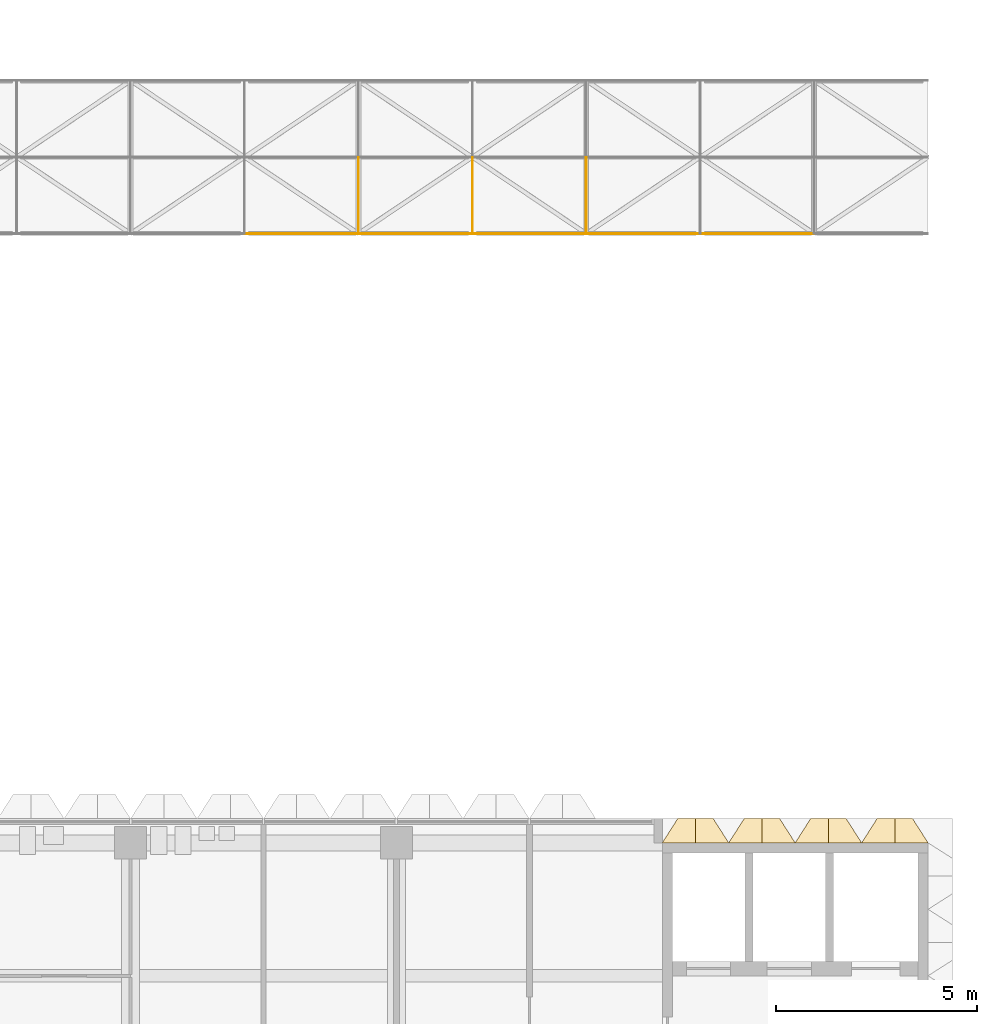
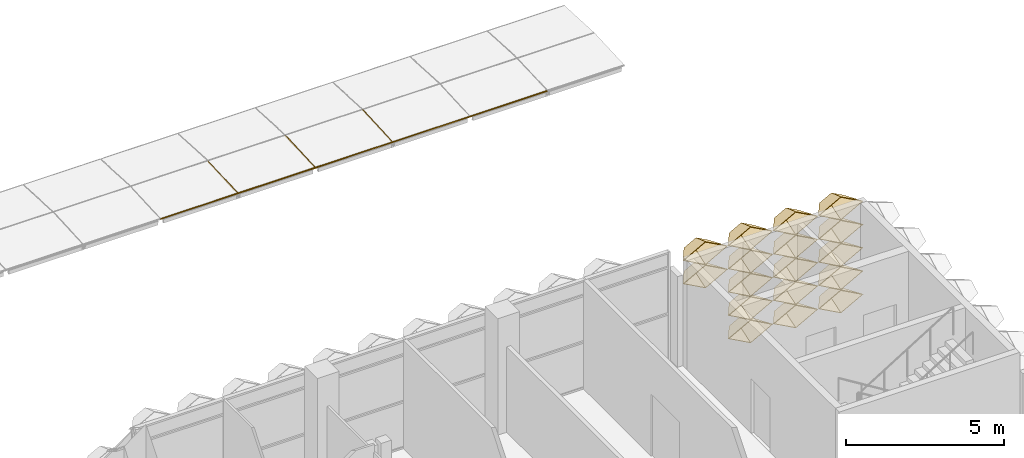
# One storey, part 57 of 61: 25 coverings.
"""IFC4 building model written with IfcOpenShell, lengths in metres."""

from ifc_helpers import new_model, entity, si_unit, direction, frame, origin, origin_2d, place, context, subcontext, project, spatial, rectangle, extrude, material, layer, layer_set, material_profile, profile_set, type_object, element, save


model = new_model("IFC4")

# Units and contexts
model_context = context("Model", 3, precision=1e-05, world=origin(), true_north=direction((0.0, 1.0)))
body_context = subcontext(model_context, "Body", "Model", "MODEL_VIEW")
ifc_project = project(units=[si_unit("LENGTHUNIT", "METRE"), si_unit("AREAUNIT", "SQUARE_METRE"), si_unit("VOLUMEUNIT", "CUBIC_METRE"), si_unit("PLANEANGLEUNIT", "RADIAN"), si_unit("MASSUNIT", "GRAM", prefix="KILO")], contexts=[model_context])

# Site, building, storey
site_placement = place(None, origin())
site = spatial("IfcSite", under=ifc_project, at=site_placement, CompositionType="ELEMENT")
building_placement = place(site_placement, origin())
building = spatial("IfcBuilding", under=site, at=building_placement, Name="Lantern Court Research Institute", CompositionType="ELEMENT")
storey_placement = place(building_placement, frame((0.0, 0.0, 23.39990234375)))
storey = spatial("IfcBuildingStorey", under=building, at=storey_placement, Name="L05", CompositionType="ELEMENT", Elevation=23.39990234375)

# Coverings
ifc_material_1 = material(Name="Anodised aluminium", Category="aluminium")
ifc_layer = layer(ifc_material_1, 0.01611328125)
ifc_layer_set = layer_set([ifc_layer], Name="Anodised aluminium")
covering_type_1 = type_object("IfcCoveringType", Name="Fin cassette 1650 x 900 x 600 aluminium", PredefinedType="CLADDING", material=ifc_layer_set)
covering_1_placement = place(storey_placement, frame((75.074951171875, 23.10009765625, 0.4501953125), z_axis=(0.0, 1.0, 0.0), x_axis=(-1.0, 0.0, 0.0)))
cartesian_point_1 = entity("IfcCartesianPoint", [0.824951171875, 0.0])
cartesian_point_2 = entity("IfcCartesianPoint", [0.79150390625, 0.0])
cartesian_point_3 = entity("IfcCartesianPoint", [0.44189453125, 0.0])
cartesian_point_4 = entity("IfcCartesianPoint", [0.43359375, 0.0])
element("IfcCovering", 1, at=covering_1_placement, inside=storey, type_object=covering_type_1, Name="Fin cassette V5N-L05 1.46", PredefinedType="CLADDING", context=body_context, shape_type="SweptSolid", body=[
    entity("IfcExtrudedAreaSolidTapered", entity("IfcArbitraryProfileDefWithVoids", "AREA", None, entity("IfcPolyline", [cartesian_point_1, entity("IfcCartesianPoint", [0.0, 0.449951171875]), entity("IfcCartesianPoint", [-0.824951171875, 0.0]), entity("IfcCartesianPoint", [0.0, -0.449951171875]), cartesian_point_1]), [entity("IfcPolyline", [cartesian_point_2, entity("IfcCartesianPoint", [0.0, 0.431884765625]), entity("IfcCartesianPoint", [-0.79150390625, 0.0]), entity("IfcCartesianPoint", [0.0, -0.431884765625]), cartesian_point_2])]), entity("IfcAxis2Placement3D", entity("IfcCartesianPoint", [0.0, 0.0, 0.0])), entity("IfcDirection", [0.0, 0.0, 1.0]), 0.60009765625, entity("IfcArbitraryProfileDefWithVoids", "AREA", None, entity("IfcPolyline", [cartesian_point_3, entity("IfcCartesianPoint", [0.0, 0.240966796875]), entity("IfcCartesianPoint", [-0.44189453125, 0.0]), entity("IfcCartesianPoint", [0.0, -0.240966796875]), cartesian_point_3]), [entity("IfcPolyline", [cartesian_point_4, entity("IfcCartesianPoint", [0.0, 0.236572265625]), entity("IfcCartesianPoint", [-0.43359375, 0.0]), entity("IfcCartesianPoint", [0.0, -0.236572265625]), cartesian_point_4])])),
])
covering_2_placement = place(storey_placement, frame((76.72509765625, 23.10009765625, 0.4501953125), z_axis=(0.0, 1.0, 0.0), x_axis=(-1.0, 0.0, 0.0)))
cartesian_point_5 = entity("IfcCartesianPoint", [0.824951171875, 0.0])
cartesian_point_6 = entity("IfcCartesianPoint", [0.79150390625, 0.0])
cartesian_point_7 = entity("IfcCartesianPoint", [0.44189453125, 0.0])
cartesian_point_8 = entity("IfcCartesianPoint", [0.43359375, 0.0])
element("IfcCovering", 2, at=covering_2_placement, inside=storey, type_object=covering_type_1, Name="Fin cassette V5N-L05 1.47", PredefinedType="CLADDING", context=body_context, shape_type="SweptSolid", body=[
    entity("IfcExtrudedAreaSolidTapered", entity("IfcArbitraryProfileDefWithVoids", "AREA", None, entity("IfcPolyline", [cartesian_point_5, entity("IfcCartesianPoint", [0.0, 0.449951171875]), entity("IfcCartesianPoint", [-0.824951171875, 0.0]), entity("IfcCartesianPoint", [0.0, -0.449951171875]), cartesian_point_5]), [entity("IfcPolyline", [cartesian_point_6, entity("IfcCartesianPoint", [0.0, 0.431884765625]), entity("IfcCartesianPoint", [-0.79150390625, 0.0]), entity("IfcCartesianPoint", [0.0, -0.431884765625]), cartesian_point_6])]), entity("IfcAxis2Placement3D", entity("IfcCartesianPoint", [0.0, 0.0, 0.0])), entity("IfcDirection", [0.0, 0.0, 1.0]), 0.60009765625, entity("IfcArbitraryProfileDefWithVoids", "AREA", None, entity("IfcPolyline", [cartesian_point_7, entity("IfcCartesianPoint", [0.0, 0.240966796875]), entity("IfcCartesianPoint", [-0.44189453125, 0.0]), entity("IfcCartesianPoint", [0.0, -0.240966796875]), cartesian_point_7]), [entity("IfcPolyline", [cartesian_point_8, entity("IfcCartesianPoint", [0.0, 0.236572265625]), entity("IfcCartesianPoint", [-0.43359375, 0.0]), entity("IfcCartesianPoint", [0.0, -0.236572265625]), cartesian_point_8])])),
])
covering_3_placement = place(storey_placement, frame((78.375, 23.10009765625, 0.4501953125), z_axis=(0.0, 1.0, 0.0), x_axis=(-1.0, 0.0, 0.0)))
cartesian_point_9 = entity("IfcCartesianPoint", [0.824951171875, 0.0])
cartesian_point_10 = entity("IfcCartesianPoint", [0.79150390625, 0.0])
cartesian_point_11 = entity("IfcCartesianPoint", [0.44189453125, 0.0])
cartesian_point_12 = entity("IfcCartesianPoint", [0.43359375, 0.0])
element("IfcCovering", 3, at=covering_3_placement, inside=storey, type_object=covering_type_1, Name="Fin cassette V5N-L05 1.48", PredefinedType="CLADDING", context=body_context, shape_type="SweptSolid", body=[
    entity("IfcExtrudedAreaSolidTapered", entity("IfcArbitraryProfileDefWithVoids", "AREA", None, entity("IfcPolyline", [cartesian_point_9, entity("IfcCartesianPoint", [0.0, 0.449951171875]), entity("IfcCartesianPoint", [-0.824951171875, 0.0]), entity("IfcCartesianPoint", [0.0, -0.449951171875]), cartesian_point_9]), [entity("IfcPolyline", [cartesian_point_10, entity("IfcCartesianPoint", [0.0, 0.431884765625]), entity("IfcCartesianPoint", [-0.79150390625, 0.0]), entity("IfcCartesianPoint", [0.0, -0.431884765625]), cartesian_point_10])]), entity("IfcAxis2Placement3D", entity("IfcCartesianPoint", [0.0, 0.0, 0.0])), entity("IfcDirection", [0.0, 0.0, 1.0]), 0.60009765625, entity("IfcArbitraryProfileDefWithVoids", "AREA", None, entity("IfcPolyline", [cartesian_point_11, entity("IfcCartesianPoint", [0.0, 0.240966796875]), entity("IfcCartesianPoint", [-0.44189453125, 0.0]), entity("IfcCartesianPoint", [0.0, -0.240966796875]), cartesian_point_11]), [entity("IfcPolyline", [cartesian_point_12, entity("IfcCartesianPoint", [0.0, 0.236572265625]), entity("IfcCartesianPoint", [-0.43359375, 0.0]), entity("IfcCartesianPoint", [0.0, -0.236572265625]), cartesian_point_12])])),
])
covering_4_placement = place(storey_placement, frame((75.074951171875, 23.10009765625, 1.35009765625), z_axis=(0.0, 1.0, 0.0), x_axis=(-1.0, 0.0, 0.0)))
cartesian_point_13 = entity("IfcCartesianPoint", [0.824951171875, 0.0])
cartesian_point_14 = entity("IfcCartesianPoint", [0.79150390625, 0.0])
cartesian_point_15 = entity("IfcCartesianPoint", [0.44189453125, 0.0])
cartesian_point_16 = entity("IfcCartesianPoint", [0.43359375, 0.0])
element("IfcCovering", 4, at=covering_4_placement, inside=storey, type_object=covering_type_1, Name="Fin cassette V5N-L05 2.46", PredefinedType="CLADDING", context=body_context, shape_type="SweptSolid", body=[
    entity("IfcExtrudedAreaSolidTapered", entity("IfcArbitraryProfileDefWithVoids", "AREA", None, entity("IfcPolyline", [cartesian_point_13, entity("IfcCartesianPoint", [0.0, 0.449951171875]), entity("IfcCartesianPoint", [-0.824951171875, 0.0]), entity("IfcCartesianPoint", [0.0, -0.449951171875]), cartesian_point_13]), [entity("IfcPolyline", [cartesian_point_14, entity("IfcCartesianPoint", [0.0, 0.431884765625]), entity("IfcCartesianPoint", [-0.79150390625, 0.0]), entity("IfcCartesianPoint", [0.0, -0.431884765625]), cartesian_point_14])]), entity("IfcAxis2Placement3D", entity("IfcCartesianPoint", [0.0, 0.0, 0.0])), entity("IfcDirection", [0.0, 0.0, 1.0]), 0.60009765625, entity("IfcArbitraryProfileDefWithVoids", "AREA", None, entity("IfcPolyline", [cartesian_point_15, entity("IfcCartesianPoint", [0.0, 0.240966796875]), entity("IfcCartesianPoint", [-0.44189453125, 0.0]), entity("IfcCartesianPoint", [0.0, -0.240966796875]), cartesian_point_15]), [entity("IfcPolyline", [cartesian_point_16, entity("IfcCartesianPoint", [0.0, 0.236572265625]), entity("IfcCartesianPoint", [-0.43359375, 0.0]), entity("IfcCartesianPoint", [0.0, -0.236572265625]), cartesian_point_16])])),
])
covering_5_placement = place(storey_placement, frame((76.72509765625, 23.10009765625, 1.35009765625), z_axis=(0.0, 1.0, 0.0), x_axis=(-1.0, 0.0, 0.0)))
cartesian_point_17 = entity("IfcCartesianPoint", [0.824951171875, 0.0])
cartesian_point_18 = entity("IfcCartesianPoint", [0.79150390625, 0.0])
cartesian_point_19 = entity("IfcCartesianPoint", [0.44189453125, 0.0])
cartesian_point_20 = entity("IfcCartesianPoint", [0.43359375, 0.0])
element("IfcCovering", 5, at=covering_5_placement, inside=storey, type_object=covering_type_1, Name="Fin cassette V5N-L05 2.47", PredefinedType="CLADDING", context=body_context, shape_type="SweptSolid", body=[
    entity("IfcExtrudedAreaSolidTapered", entity("IfcArbitraryProfileDefWithVoids", "AREA", None, entity("IfcPolyline", [cartesian_point_17, entity("IfcCartesianPoint", [0.0, 0.449951171875]), entity("IfcCartesianPoint", [-0.824951171875, 0.0]), entity("IfcCartesianPoint", [0.0, -0.449951171875]), cartesian_point_17]), [entity("IfcPolyline", [cartesian_point_18, entity("IfcCartesianPoint", [0.0, 0.431884765625]), entity("IfcCartesianPoint", [-0.79150390625, 0.0]), entity("IfcCartesianPoint", [0.0, -0.431884765625]), cartesian_point_18])]), entity("IfcAxis2Placement3D", entity("IfcCartesianPoint", [0.0, 0.0, 0.0])), entity("IfcDirection", [0.0, 0.0, 1.0]), 0.60009765625, entity("IfcArbitraryProfileDefWithVoids", "AREA", None, entity("IfcPolyline", [cartesian_point_19, entity("IfcCartesianPoint", [0.0, 0.240966796875]), entity("IfcCartesianPoint", [-0.44189453125, 0.0]), entity("IfcCartesianPoint", [0.0, -0.240966796875]), cartesian_point_19]), [entity("IfcPolyline", [cartesian_point_20, entity("IfcCartesianPoint", [0.0, 0.236572265625]), entity("IfcCartesianPoint", [-0.43359375, 0.0]), entity("IfcCartesianPoint", [0.0, -0.236572265625]), cartesian_point_20])])),
])
covering_6_placement = place(storey_placement, frame((78.375, 23.10009765625, 1.35009765625), z_axis=(0.0, 1.0, 0.0), x_axis=(-1.0, 0.0, 0.0)))
cartesian_point_21 = entity("IfcCartesianPoint", [0.824951171875, 0.0])
cartesian_point_22 = entity("IfcCartesianPoint", [0.79150390625, 0.0])
cartesian_point_23 = entity("IfcCartesianPoint", [0.44189453125, 0.0])
cartesian_point_24 = entity("IfcCartesianPoint", [0.43359375, 0.0])
element("IfcCovering", 6, at=covering_6_placement, inside=storey, type_object=covering_type_1, Name="Fin cassette V5N-L05 2.48", PredefinedType="CLADDING", context=body_context, shape_type="SweptSolid", body=[
    entity("IfcExtrudedAreaSolidTapered", entity("IfcArbitraryProfileDefWithVoids", "AREA", None, entity("IfcPolyline", [cartesian_point_21, entity("IfcCartesianPoint", [0.0, 0.449951171875]), entity("IfcCartesianPoint", [-0.824951171875, 0.0]), entity("IfcCartesianPoint", [0.0, -0.449951171875]), cartesian_point_21]), [entity("IfcPolyline", [cartesian_point_22, entity("IfcCartesianPoint", [0.0, 0.431884765625]), entity("IfcCartesianPoint", [-0.79150390625, 0.0]), entity("IfcCartesianPoint", [0.0, -0.431884765625]), cartesian_point_22])]), entity("IfcAxis2Placement3D", entity("IfcCartesianPoint", [0.0, 0.0, 0.0])), entity("IfcDirection", [0.0, 0.0, 1.0]), 0.60009765625, entity("IfcArbitraryProfileDefWithVoids", "AREA", None, entity("IfcPolyline", [cartesian_point_23, entity("IfcCartesianPoint", [0.0, 0.240966796875]), entity("IfcCartesianPoint", [-0.44189453125, 0.0]), entity("IfcCartesianPoint", [0.0, -0.240966796875]), cartesian_point_23]), [entity("IfcPolyline", [cartesian_point_24, entity("IfcCartesianPoint", [0.0, 0.236572265625]), entity("IfcCartesianPoint", [-0.43359375, 0.0]), entity("IfcCartesianPoint", [0.0, -0.236572265625]), cartesian_point_24])])),
])
covering_7_placement = place(storey_placement, frame((75.074951171875, 23.10009765625, 2.25), z_axis=(0.0, 1.0, 0.0), x_axis=(-1.0, 0.0, 0.0)))
cartesian_point_25 = entity("IfcCartesianPoint", [0.824951171875, 0.0])
cartesian_point_26 = entity("IfcCartesianPoint", [0.79150390625, 0.0])
cartesian_point_27 = entity("IfcCartesianPoint", [0.44189453125, 0.0])
cartesian_point_28 = entity("IfcCartesianPoint", [0.43359375, 0.0])
element("IfcCovering", 7, at=covering_7_placement, inside=storey, type_object=covering_type_1, Name="Fin cassette V5N-L05 3.46", PredefinedType="CLADDING", context=body_context, shape_type="SweptSolid", body=[
    entity("IfcExtrudedAreaSolidTapered", entity("IfcArbitraryProfileDefWithVoids", "AREA", None, entity("IfcPolyline", [cartesian_point_25, entity("IfcCartesianPoint", [0.0, 0.449951171875]), entity("IfcCartesianPoint", [-0.824951171875, 0.0]), entity("IfcCartesianPoint", [0.0, -0.449951171875]), cartesian_point_25]), [entity("IfcPolyline", [cartesian_point_26, entity("IfcCartesianPoint", [0.0, 0.431884765625]), entity("IfcCartesianPoint", [-0.79150390625, 0.0]), entity("IfcCartesianPoint", [0.0, -0.431884765625]), cartesian_point_26])]), entity("IfcAxis2Placement3D", entity("IfcCartesianPoint", [0.0, 0.0, 0.0])), entity("IfcDirection", [0.0, 0.0, 1.0]), 0.60009765625, entity("IfcArbitraryProfileDefWithVoids", "AREA", None, entity("IfcPolyline", [cartesian_point_27, entity("IfcCartesianPoint", [0.0, 0.240966796875]), entity("IfcCartesianPoint", [-0.44189453125, 0.0]), entity("IfcCartesianPoint", [0.0, -0.240966796875]), cartesian_point_27]), [entity("IfcPolyline", [cartesian_point_28, entity("IfcCartesianPoint", [0.0, 0.236572265625]), entity("IfcCartesianPoint", [-0.43359375, 0.0]), entity("IfcCartesianPoint", [0.0, -0.236572265625]), cartesian_point_28])])),
])
covering_8_placement = place(storey_placement, frame((76.72509765625, 23.10009765625, 2.25), z_axis=(0.0, 1.0, 0.0), x_axis=(-1.0, 0.0, 0.0)))
cartesian_point_29 = entity("IfcCartesianPoint", [0.824951171875, 0.0])
cartesian_point_30 = entity("IfcCartesianPoint", [0.79150390625, 0.0])
cartesian_point_31 = entity("IfcCartesianPoint", [0.44189453125, 0.0])
cartesian_point_32 = entity("IfcCartesianPoint", [0.43359375, 0.0])
element("IfcCovering", 8, at=covering_8_placement, inside=storey, type_object=covering_type_1, Name="Fin cassette V5N-L05 3.47", PredefinedType="CLADDING", context=body_context, shape_type="SweptSolid", body=[
    entity("IfcExtrudedAreaSolidTapered", entity("IfcArbitraryProfileDefWithVoids", "AREA", None, entity("IfcPolyline", [cartesian_point_29, entity("IfcCartesianPoint", [0.0, 0.449951171875]), entity("IfcCartesianPoint", [-0.824951171875, 0.0]), entity("IfcCartesianPoint", [0.0, -0.449951171875]), cartesian_point_29]), [entity("IfcPolyline", [cartesian_point_30, entity("IfcCartesianPoint", [0.0, 0.431884765625]), entity("IfcCartesianPoint", [-0.79150390625, 0.0]), entity("IfcCartesianPoint", [0.0, -0.431884765625]), cartesian_point_30])]), entity("IfcAxis2Placement3D", entity("IfcCartesianPoint", [0.0, 0.0, 0.0])), entity("IfcDirection", [0.0, 0.0, 1.0]), 0.60009765625, entity("IfcArbitraryProfileDefWithVoids", "AREA", None, entity("IfcPolyline", [cartesian_point_31, entity("IfcCartesianPoint", [0.0, 0.240966796875]), entity("IfcCartesianPoint", [-0.44189453125, 0.0]), entity("IfcCartesianPoint", [0.0, -0.240966796875]), cartesian_point_31]), [entity("IfcPolyline", [cartesian_point_32, entity("IfcCartesianPoint", [0.0, 0.236572265625]), entity("IfcCartesianPoint", [-0.43359375, 0.0]), entity("IfcCartesianPoint", [0.0, -0.236572265625]), cartesian_point_32])])),
])
covering_9_placement = place(storey_placement, frame((78.375, 23.10009765625, 2.25), z_axis=(0.0, 1.0, 0.0), x_axis=(-1.0, 0.0, 0.0)))
cartesian_point_33 = entity("IfcCartesianPoint", [0.824951171875, 0.0])
cartesian_point_34 = entity("IfcCartesianPoint", [0.79150390625, 0.0])
cartesian_point_35 = entity("IfcCartesianPoint", [0.44189453125, 0.0])
cartesian_point_36 = entity("IfcCartesianPoint", [0.43359375, 0.0])
element("IfcCovering", 9, at=covering_9_placement, inside=storey, type_object=covering_type_1, Name="Fin cassette V5N-L05 3.48", PredefinedType="CLADDING", context=body_context, shape_type="SweptSolid", body=[
    entity("IfcExtrudedAreaSolidTapered", entity("IfcArbitraryProfileDefWithVoids", "AREA", None, entity("IfcPolyline", [cartesian_point_33, entity("IfcCartesianPoint", [0.0, 0.449951171875]), entity("IfcCartesianPoint", [-0.824951171875, 0.0]), entity("IfcCartesianPoint", [0.0, -0.449951171875]), cartesian_point_33]), [entity("IfcPolyline", [cartesian_point_34, entity("IfcCartesianPoint", [0.0, 0.431884765625]), entity("IfcCartesianPoint", [-0.79150390625, 0.0]), entity("IfcCartesianPoint", [0.0, -0.431884765625]), cartesian_point_34])]), entity("IfcAxis2Placement3D", entity("IfcCartesianPoint", [0.0, 0.0, 0.0])), entity("IfcDirection", [0.0, 0.0, 1.0]), 0.60009765625, entity("IfcArbitraryProfileDefWithVoids", "AREA", None, entity("IfcPolyline", [cartesian_point_35, entity("IfcCartesianPoint", [0.0, 0.240966796875]), entity("IfcCartesianPoint", [-0.44189453125, 0.0]), entity("IfcCartesianPoint", [0.0, -0.240966796875]), cartesian_point_35]), [entity("IfcPolyline", [cartesian_point_36, entity("IfcCartesianPoint", [0.0, 0.236572265625]), entity("IfcCartesianPoint", [-0.43359375, 0.0]), entity("IfcCartesianPoint", [0.0, -0.236572265625]), cartesian_point_36])])),
])
covering_10_placement = place(storey_placement, frame((73.425048828125, 23.10009765625, 3.150146484375), z_axis=(0.0, 1.0, 0.0), x_axis=(-1.0, 0.0, 0.0)))
cartesian_point_37 = entity("IfcCartesianPoint", [0.824951171875, 0.0])
cartesian_point_38 = entity("IfcCartesianPoint", [0.79150390625, 0.0])
cartesian_point_39 = entity("IfcCartesianPoint", [0.44189453125, 0.0])
cartesian_point_40 = entity("IfcCartesianPoint", [0.43359375, 0.0])
element("IfcCovering", 10, at=covering_10_placement, inside=storey, type_object=covering_type_1, Name="Fin cassette V5N-L05 4.45", PredefinedType="CLADDING", context=body_context, shape_type="SweptSolid", body=[
    entity("IfcExtrudedAreaSolidTapered", entity("IfcArbitraryProfileDefWithVoids", "AREA", None, entity("IfcPolyline", [cartesian_point_37, entity("IfcCartesianPoint", [0.0, 0.449951171875]), entity("IfcCartesianPoint", [-0.824951171875, 0.0]), entity("IfcCartesianPoint", [0.0, -0.449951171875]), cartesian_point_37]), [entity("IfcPolyline", [cartesian_point_38, entity("IfcCartesianPoint", [0.0, 0.431884765625]), entity("IfcCartesianPoint", [-0.79150390625, 0.0]), entity("IfcCartesianPoint", [0.0, -0.431884765625]), cartesian_point_38])]), entity("IfcAxis2Placement3D", entity("IfcCartesianPoint", [0.0, 0.0, 0.0])), entity("IfcDirection", [0.0, 0.0, 1.0]), 0.60009765625, entity("IfcArbitraryProfileDefWithVoids", "AREA", None, entity("IfcPolyline", [cartesian_point_39, entity("IfcCartesianPoint", [0.0, 0.240966796875]), entity("IfcCartesianPoint", [-0.44189453125, 0.0]), entity("IfcCartesianPoint", [0.0, -0.240966796875]), cartesian_point_39]), [entity("IfcPolyline", [cartesian_point_40, entity("IfcCartesianPoint", [0.0, 0.236572265625]), entity("IfcCartesianPoint", [-0.43359375, 0.0]), entity("IfcCartesianPoint", [0.0, -0.236572265625]), cartesian_point_40])])),
])
covering_11_placement = place(storey_placement, frame((75.074951171875, 23.10009765625, 3.150146484375), z_axis=(0.0, 1.0, 0.0), x_axis=(-1.0, 0.0, 0.0)))
cartesian_point_41 = entity("IfcCartesianPoint", [0.824951171875, 0.0])
cartesian_point_42 = entity("IfcCartesianPoint", [0.79150390625, 0.0])
cartesian_point_43 = entity("IfcCartesianPoint", [0.44189453125, 0.0])
cartesian_point_44 = entity("IfcCartesianPoint", [0.43359375, 0.0])
element("IfcCovering", 11, at=covering_11_placement, inside=storey, type_object=covering_type_1, Name="Fin cassette V5N-L05 4.46", PredefinedType="CLADDING", context=body_context, shape_type="SweptSolid", body=[
    entity("IfcExtrudedAreaSolidTapered", entity("IfcArbitraryProfileDefWithVoids", "AREA", None, entity("IfcPolyline", [cartesian_point_41, entity("IfcCartesianPoint", [0.0, 0.449951171875]), entity("IfcCartesianPoint", [-0.824951171875, 0.0]), entity("IfcCartesianPoint", [0.0, -0.449951171875]), cartesian_point_41]), [entity("IfcPolyline", [cartesian_point_42, entity("IfcCartesianPoint", [0.0, 0.431884765625]), entity("IfcCartesianPoint", [-0.79150390625, 0.0]), entity("IfcCartesianPoint", [0.0, -0.431884765625]), cartesian_point_42])]), entity("IfcAxis2Placement3D", entity("IfcCartesianPoint", [0.0, 0.0, 0.0])), entity("IfcDirection", [0.0, 0.0, 1.0]), 0.60009765625, entity("IfcArbitraryProfileDefWithVoids", "AREA", None, entity("IfcPolyline", [cartesian_point_43, entity("IfcCartesianPoint", [0.0, 0.240966796875]), entity("IfcCartesianPoint", [-0.44189453125, 0.0]), entity("IfcCartesianPoint", [0.0, -0.240966796875]), cartesian_point_43]), [entity("IfcPolyline", [cartesian_point_44, entity("IfcCartesianPoint", [0.0, 0.236572265625]), entity("IfcCartesianPoint", [-0.43359375, 0.0]), entity("IfcCartesianPoint", [0.0, -0.236572265625]), cartesian_point_44])])),
])
covering_12_placement = place(storey_placement, frame((76.72509765625, 23.10009765625, 3.150146484375), z_axis=(0.0, 1.0, 0.0), x_axis=(-1.0, 0.0, 0.0)))
cartesian_point_45 = entity("IfcCartesianPoint", [0.824951171875, 0.0])
cartesian_point_46 = entity("IfcCartesianPoint", [0.79150390625, 0.0])
cartesian_point_47 = entity("IfcCartesianPoint", [0.44189453125, 0.0])
cartesian_point_48 = entity("IfcCartesianPoint", [0.43359375, 0.0])
element("IfcCovering", 12, at=covering_12_placement, inside=storey, type_object=covering_type_1, Name="Fin cassette V5N-L05 4.47", PredefinedType="CLADDING", context=body_context, shape_type="SweptSolid", body=[
    entity("IfcExtrudedAreaSolidTapered", entity("IfcArbitraryProfileDefWithVoids", "AREA", None, entity("IfcPolyline", [cartesian_point_45, entity("IfcCartesianPoint", [0.0, 0.449951171875]), entity("IfcCartesianPoint", [-0.824951171875, 0.0]), entity("IfcCartesianPoint", [0.0, -0.449951171875]), cartesian_point_45]), [entity("IfcPolyline", [cartesian_point_46, entity("IfcCartesianPoint", [0.0, 0.431884765625]), entity("IfcCartesianPoint", [-0.79150390625, 0.0]), entity("IfcCartesianPoint", [0.0, -0.431884765625]), cartesian_point_46])]), entity("IfcAxis2Placement3D", entity("IfcCartesianPoint", [0.0, 0.0, 0.0])), entity("IfcDirection", [0.0, 0.0, 1.0]), 0.60009765625, entity("IfcArbitraryProfileDefWithVoids", "AREA", None, entity("IfcPolyline", [cartesian_point_47, entity("IfcCartesianPoint", [0.0, 0.240966796875]), entity("IfcCartesianPoint", [-0.44189453125, 0.0]), entity("IfcCartesianPoint", [0.0, -0.240966796875]), cartesian_point_47]), [entity("IfcPolyline", [cartesian_point_48, entity("IfcCartesianPoint", [0.0, 0.236572265625]), entity("IfcCartesianPoint", [-0.43359375, 0.0]), entity("IfcCartesianPoint", [0.0, -0.236572265625]), cartesian_point_48])])),
])
covering_13_placement = place(storey_placement, frame((78.375, 23.10009765625, 3.150146484375), z_axis=(0.0, 1.0, 0.0), x_axis=(-1.0, 0.0, 0.0)))
cartesian_point_49 = entity("IfcCartesianPoint", [0.824951171875, 0.0])
cartesian_point_50 = entity("IfcCartesianPoint", [0.79150390625, 0.0])
cartesian_point_51 = entity("IfcCartesianPoint", [0.44189453125, 0.0])
cartesian_point_52 = entity("IfcCartesianPoint", [0.43359375, 0.0])
element("IfcCovering", 13, at=covering_13_placement, inside=storey, type_object=covering_type_1, Name="Fin cassette V5N-L05 4.48", PredefinedType="CLADDING", context=body_context, shape_type="SweptSolid", body=[
    entity("IfcExtrudedAreaSolidTapered", entity("IfcArbitraryProfileDefWithVoids", "AREA", None, entity("IfcPolyline", [cartesian_point_49, entity("IfcCartesianPoint", [0.0, 0.449951171875]), entity("IfcCartesianPoint", [-0.824951171875, 0.0]), entity("IfcCartesianPoint", [0.0, -0.449951171875]), cartesian_point_49]), [entity("IfcPolyline", [cartesian_point_50, entity("IfcCartesianPoint", [0.0, 0.431884765625]), entity("IfcCartesianPoint", [-0.79150390625, 0.0]), entity("IfcCartesianPoint", [0.0, -0.431884765625]), cartesian_point_50])]), entity("IfcAxis2Placement3D", entity("IfcCartesianPoint", [0.0, 0.0, 0.0])), entity("IfcDirection", [0.0, 0.0, 1.0]), 0.60009765625, entity("IfcArbitraryProfileDefWithVoids", "AREA", None, entity("IfcPolyline", [cartesian_point_51, entity("IfcCartesianPoint", [0.0, 0.240966796875]), entity("IfcCartesianPoint", [-0.44189453125, 0.0]), entity("IfcCartesianPoint", [0.0, -0.240966796875]), cartesian_point_51]), [entity("IfcPolyline", [cartesian_point_52, entity("IfcCartesianPoint", [0.0, 0.236572265625]), entity("IfcCartesianPoint", [-0.43359375, 0.0]), entity("IfcCartesianPoint", [0.0, -0.236572265625]), cartesian_point_52])])),
])
covering_14_placement = place(storey_placement, frame((73.425048828125, 23.10009765625, 4.050048828125), z_axis=(0.0, 1.0, 0.0), x_axis=(-1.0, 0.0, 0.0)))
cartesian_point_53 = entity("IfcCartesianPoint", [0.824951171875, 0.0])
cartesian_point_54 = entity("IfcCartesianPoint", [0.79150390625, 0.0])
cartesian_point_55 = entity("IfcCartesianPoint", [0.44189453125, 0.0])
cartesian_point_56 = entity("IfcCartesianPoint", [0.43359375, 0.0])
element("IfcCovering", 14, at=covering_14_placement, inside=storey, type_object=covering_type_1, Name="Fin cassette V5N-L05 5.45", PredefinedType="CLADDING", context=body_context, shape_type="SweptSolid", body=[
    entity("IfcExtrudedAreaSolidTapered", entity("IfcArbitraryProfileDefWithVoids", "AREA", None, entity("IfcPolyline", [cartesian_point_53, entity("IfcCartesianPoint", [0.0, 0.449951171875]), entity("IfcCartesianPoint", [-0.824951171875, 0.0]), entity("IfcCartesianPoint", [0.0, -0.449951171875]), cartesian_point_53]), [entity("IfcPolyline", [cartesian_point_54, entity("IfcCartesianPoint", [0.0, 0.431884765625]), entity("IfcCartesianPoint", [-0.79150390625, 0.0]), entity("IfcCartesianPoint", [0.0, -0.431884765625]), cartesian_point_54])]), entity("IfcAxis2Placement3D", entity("IfcCartesianPoint", [0.0, 0.0, 0.0])), entity("IfcDirection", [0.0, 0.0, 1.0]), 0.60009765625, entity("IfcArbitraryProfileDefWithVoids", "AREA", None, entity("IfcPolyline", [cartesian_point_55, entity("IfcCartesianPoint", [0.0, 0.240966796875]), entity("IfcCartesianPoint", [-0.44189453125, 0.0]), entity("IfcCartesianPoint", [0.0, -0.240966796875]), cartesian_point_55]), [entity("IfcPolyline", [cartesian_point_56, entity("IfcCartesianPoint", [0.0, 0.236572265625]), entity("IfcCartesianPoint", [-0.43359375, 0.0]), entity("IfcCartesianPoint", [0.0, -0.236572265625]), cartesian_point_56])])),
])
covering_15_placement = place(storey_placement, frame((75.074951171875, 23.10009765625, 4.050048828125), z_axis=(0.0, 1.0, 0.0), x_axis=(-1.0, 0.0, 0.0)))
cartesian_point_57 = entity("IfcCartesianPoint", [0.824951171875, 0.0])
cartesian_point_58 = entity("IfcCartesianPoint", [0.79150390625, 0.0])
cartesian_point_59 = entity("IfcCartesianPoint", [0.44189453125, 0.0])
cartesian_point_60 = entity("IfcCartesianPoint", [0.43359375, 0.0])
element("IfcCovering", 15, at=covering_15_placement, inside=storey, type_object=covering_type_1, Name="Fin cassette V5N-L05 5.46", PredefinedType="CLADDING", context=body_context, shape_type="SweptSolid", body=[
    entity("IfcExtrudedAreaSolidTapered", entity("IfcArbitraryProfileDefWithVoids", "AREA", None, entity("IfcPolyline", [cartesian_point_57, entity("IfcCartesianPoint", [0.0, 0.449951171875]), entity("IfcCartesianPoint", [-0.824951171875, 0.0]), entity("IfcCartesianPoint", [0.0, -0.449951171875]), cartesian_point_57]), [entity("IfcPolyline", [cartesian_point_58, entity("IfcCartesianPoint", [0.0, 0.431884765625]), entity("IfcCartesianPoint", [-0.79150390625, 0.0]), entity("IfcCartesianPoint", [0.0, -0.431884765625]), cartesian_point_58])]), entity("IfcAxis2Placement3D", entity("IfcCartesianPoint", [0.0, 0.0, 0.0])), entity("IfcDirection", [0.0, 0.0, 1.0]), 0.60009765625, entity("IfcArbitraryProfileDefWithVoids", "AREA", None, entity("IfcPolyline", [cartesian_point_59, entity("IfcCartesianPoint", [0.0, 0.240966796875]), entity("IfcCartesianPoint", [-0.44189453125, 0.0]), entity("IfcCartesianPoint", [0.0, -0.240966796875]), cartesian_point_59]), [entity("IfcPolyline", [cartesian_point_60, entity("IfcCartesianPoint", [0.0, 0.236572265625]), entity("IfcCartesianPoint", [-0.43359375, 0.0]), entity("IfcCartesianPoint", [0.0, -0.236572265625]), cartesian_point_60])])),
])
covering_16_placement = place(storey_placement, frame((76.72509765625, 23.10009765625, 4.050048828125), z_axis=(0.0, 1.0, 0.0), x_axis=(-1.0, 0.0, 0.0)))
cartesian_point_61 = entity("IfcCartesianPoint", [0.824951171875, 0.0])
cartesian_point_62 = entity("IfcCartesianPoint", [0.79150390625, 0.0])
cartesian_point_63 = entity("IfcCartesianPoint", [0.44189453125, 0.0])
cartesian_point_64 = entity("IfcCartesianPoint", [0.43359375, 0.0])
element("IfcCovering", 16, at=covering_16_placement, inside=storey, type_object=covering_type_1, Name="Fin cassette V5N-L05 5.47", PredefinedType="CLADDING", context=body_context, shape_type="SweptSolid", body=[
    entity("IfcExtrudedAreaSolidTapered", entity("IfcArbitraryProfileDefWithVoids", "AREA", None, entity("IfcPolyline", [cartesian_point_61, entity("IfcCartesianPoint", [0.0, 0.449951171875]), entity("IfcCartesianPoint", [-0.824951171875, 0.0]), entity("IfcCartesianPoint", [0.0, -0.449951171875]), cartesian_point_61]), [entity("IfcPolyline", [cartesian_point_62, entity("IfcCartesianPoint", [0.0, 0.431884765625]), entity("IfcCartesianPoint", [-0.79150390625, 0.0]), entity("IfcCartesianPoint", [0.0, -0.431884765625]), cartesian_point_62])]), entity("IfcAxis2Placement3D", entity("IfcCartesianPoint", [0.0, 0.0, 0.0])), entity("IfcDirection", [0.0, 0.0, 1.0]), 0.60009765625, entity("IfcArbitraryProfileDefWithVoids", "AREA", None, entity("IfcPolyline", [cartesian_point_63, entity("IfcCartesianPoint", [0.0, 0.240966796875]), entity("IfcCartesianPoint", [-0.44189453125, 0.0]), entity("IfcCartesianPoint", [0.0, -0.240966796875]), cartesian_point_63]), [entity("IfcPolyline", [cartesian_point_64, entity("IfcCartesianPoint", [0.0, 0.236572265625]), entity("IfcCartesianPoint", [-0.43359375, 0.0]), entity("IfcCartesianPoint", [0.0, -0.236572265625]), cartesian_point_64])])),
])
covering_17_placement = place(storey_placement, frame((78.375, 23.10009765625, 4.050048828125), z_axis=(0.0, 1.0, 0.0), x_axis=(-1.0, 0.0, 0.0)))
cartesian_point_65 = entity("IfcCartesianPoint", [0.824951171875, 0.0])
cartesian_point_66 = entity("IfcCartesianPoint", [0.79150390625, 0.0])
cartesian_point_67 = entity("IfcCartesianPoint", [0.44189453125, 0.0])
cartesian_point_68 = entity("IfcCartesianPoint", [0.43359375, 0.0])
element("IfcCovering", 17, at=covering_17_placement, inside=storey, type_object=covering_type_1, Name="Fin cassette V5N-L05 5.48", PredefinedType="CLADDING", context=body_context, shape_type="SweptSolid", body=[
    entity("IfcExtrudedAreaSolidTapered", entity("IfcArbitraryProfileDefWithVoids", "AREA", None, entity("IfcPolyline", [cartesian_point_65, entity("IfcCartesianPoint", [0.0, 0.449951171875]), entity("IfcCartesianPoint", [-0.824951171875, 0.0]), entity("IfcCartesianPoint", [0.0, -0.449951171875]), cartesian_point_65]), [entity("IfcPolyline", [cartesian_point_66, entity("IfcCartesianPoint", [0.0, 0.431884765625]), entity("IfcCartesianPoint", [-0.79150390625, 0.0]), entity("IfcCartesianPoint", [0.0, -0.431884765625]), cartesian_point_66])]), entity("IfcAxis2Placement3D", entity("IfcCartesianPoint", [0.0, 0.0, 0.0])), entity("IfcDirection", [0.0, 0.0, 1.0]), 0.60009765625, entity("IfcArbitraryProfileDefWithVoids", "AREA", None, entity("IfcPolyline", [cartesian_point_67, entity("IfcCartesianPoint", [0.0, 0.240966796875]), entity("IfcCartesianPoint", [-0.44189453125, 0.0]), entity("IfcCartesianPoint", [0.0, -0.240966796875]), cartesian_point_67]), [entity("IfcPolyline", [cartesian_point_68, entity("IfcCartesianPoint", [0.0, 0.236572265625]), entity("IfcCartesianPoint", [-0.43359375, 0.0]), entity("IfcCartesianPoint", [0.0, -0.236572265625]), cartesian_point_68])])),
])
ifc_material_2 = material(Name="Aluminium alloy 6063-T6", Category="aluminium")
ifc_material_profile = material_profile(ifc_material_2, rectangle(XDim=0.01806640625, YDim=0.035888671875, at=origin_2d()), Name="Joint cover bar 18 x 36")
ifc_profile_set = profile_set([ifc_material_profile], Name="Aluminium alloy 6063-T6")
covering_type_2 = type_object("IfcCoveringType", Name="Joint cover bar 18 x 36", PredefinedType="MOLDING", material=ifc_profile_set)
covering_18_placement = place(storey_placement, frame((62.238525390625, 38.22314453125, 0.122314453125), z_axis=(1.0, 0.0, 0.0), x_axis=(0.0, 0.994933962664, 0.100530641789)))
element("IfcCovering", 18, at=covering_18_placement, inside=storey, type_object=covering_type_2, Name="Joint cover bar", PredefinedType="MOLDING", context=body_context, shape_type="SweptSolid", body=[
    extrude(rectangle(XDim=0.01806640625, YDim=0.035888671875, at=origin_2d()), origin(), (0.0, 0.0, 1.0), 2.80859375),
])
covering_19_placement = place(storey_placement, frame((65.05712890625, 38.22412109375, 0.122314453125), z_axis=(0.0, 0.998733707136, 0.050308868311), x_axis=(-1.0, 0.0, 0.0)))
element("IfcCovering", 19, at=covering_19_placement, inside=storey, type_object=covering_type_2, Name="Joint cover bar", PredefinedType="MOLDING", context=body_context, shape_type="SweptSolid", body=[
    extrude(rectangle(XDim=0.01806640625, YDim=0.035888671875, at=origin_2d()), origin(), (0.0, 0.0, 1.0), 1.90234375),
])
covering_20_placement = place(storey_placement, frame((65.067138671875, 38.22314453125, 0.122314453125), z_axis=(1.0, 0.0, 0.0), x_axis=(0.0, 0.994933962664, 0.100530641789)))
element("IfcCovering", 20, at=covering_20_placement, inside=storey, type_object=covering_type_2, Name="Joint cover bar", PredefinedType="MOLDING", context=body_context, shape_type="SweptSolid", body=[
    extrude(rectangle(XDim=0.01806640625, YDim=0.035888671875, at=origin_2d()), origin(), (0.0, 0.0, 1.0), 2.80859375),
])
covering_21_placement = place(storey_placement, frame((67.8857421875, 38.22412109375, 0.122314453125), z_axis=(0.0, 0.998733707136, 0.050308868311), x_axis=(-1.0, 0.0, 0.0)))
element("IfcCovering", 21, at=covering_21_placement, inside=storey, type_object=covering_type_2, Name="Joint cover bar", PredefinedType="MOLDING", context=body_context, shape_type="SweptSolid", body=[
    extrude(rectangle(XDim=0.01806640625, YDim=0.035888671875, at=origin_2d()), origin(), (0.0, 0.0, 1.0), 1.90234375),
])
covering_22_placement = place(storey_placement, frame((67.895751953125, 38.22314453125, 0.122314453125), z_axis=(1.0, 0.0, 0.0), x_axis=(0.0, 0.994933962664, 0.100530641789)))
element("IfcCovering", 22, at=covering_22_placement, inside=storey, type_object=covering_type_2, Name="Joint cover bar", PredefinedType="MOLDING", context=body_context, shape_type="SweptSolid", body=[
    extrude(rectangle(XDim=0.01806640625, YDim=0.035888671875, at=origin_2d()), origin(), (0.0, 0.0, 1.0), 2.80859375),
])
covering_23_placement = place(storey_placement, frame((70.71435546875, 38.22412109375, 0.122314453125), z_axis=(0.0, 0.998733707136, 0.050308868311), x_axis=(-1.0, 0.0, 0.0)))
element("IfcCovering", 23, at=covering_23_placement, inside=storey, type_object=covering_type_2, Name="Joint cover bar", PredefinedType="MOLDING", context=body_context, shape_type="SweptSolid", body=[
    extrude(rectangle(XDim=0.01806640625, YDim=0.035888671875, at=origin_2d()), origin(), (0.0, 0.0, 1.0), 1.90234375),
])
covering_24_placement = place(storey_placement, frame((70.724365234375, 38.22314453125, 0.122314453125), z_axis=(1.0, 0.0, 0.0), x_axis=(0.0, 0.994933962664, 0.100530641789)))
element("IfcCovering", 24, at=covering_24_placement, inside=storey, type_object=covering_type_2, Name="Joint cover bar", PredefinedType="MOLDING", context=body_context, shape_type="SweptSolid", body=[
    extrude(rectangle(XDim=0.01806640625, YDim=0.035888671875, at=origin_2d()), origin(), (0.0, 0.0, 1.0), 2.80859375),
])
covering_25_placement = place(storey_placement, frame((73.552978515625, 38.22314453125, 0.122314453125), z_axis=(1.0, 0.0, 0.0), x_axis=(0.0, 0.994933962664, 0.100530641789)))
element("IfcCovering", 25, at=covering_25_placement, inside=storey, type_object=covering_type_2, Name="Joint cover bar", PredefinedType="MOLDING", context=body_context, shape_type="SweptSolid", body=[
    extrude(rectangle(XDim=0.01806640625, YDim=0.035888671875, at=origin_2d()), origin(), (0.0, 0.0, 1.0), 2.808349609375),
])

save(model, "model.ifc")
